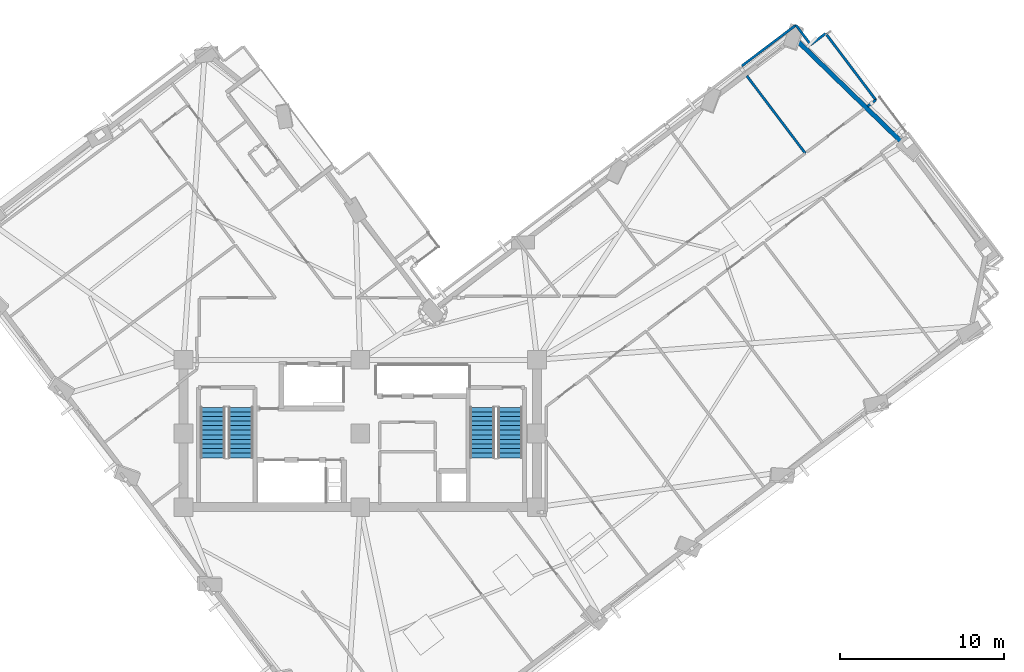
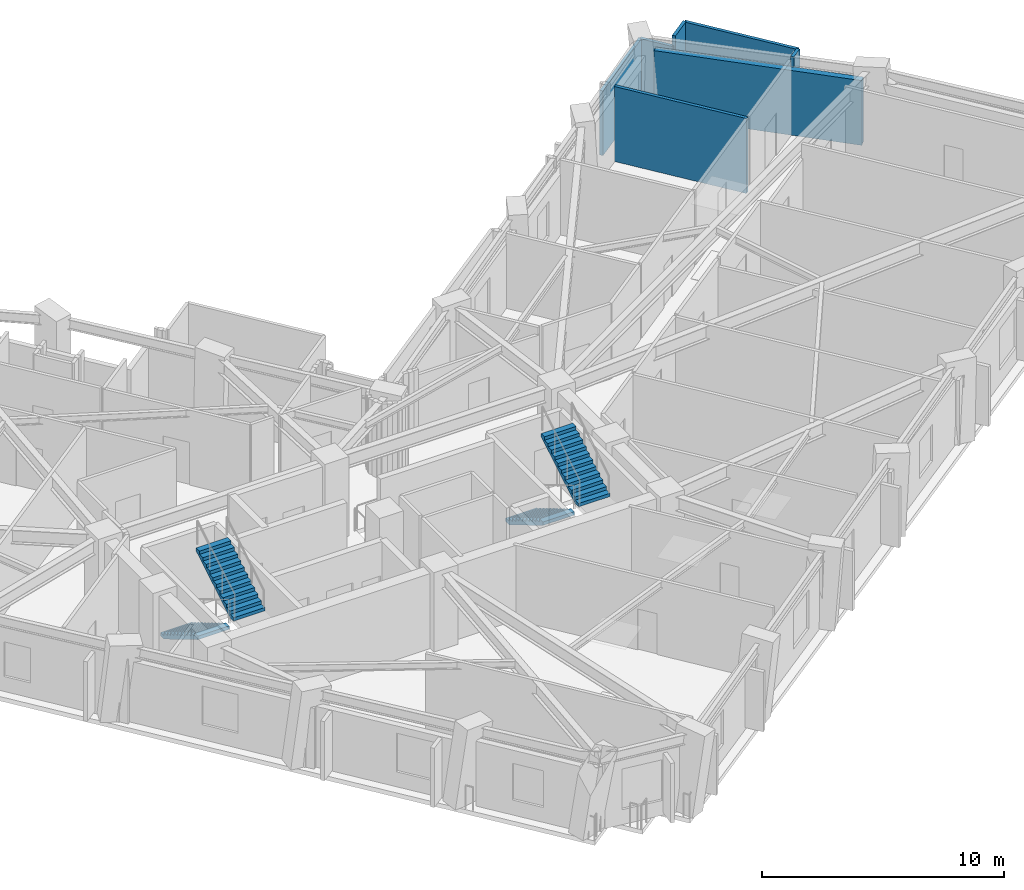
# One storey, part 10 of 15: 7 walls, 4 stair flights, 2 elements without a shape of their own.
"""IFC4 building model written with IfcOpenShell, lengths in metres."""

import ifcopenshell
import ifcopenshell.guid

model = None  # the IFC model being written
_history = None  # IfcOwnerHistory: only IFC2X3 demands one
_inside = {}  # id of a spatial element -> (the spatial element, [elements in it])
_under = {}  # id of a project, library or spatial element -> (it, [spatial elements below it])
_declared = {}  # id of a project -> (the project, [libraries it declares])
_typed = {}  # id of a type object -> (the type object, [elements of that type])
_made_of = {}  # id of a material, layer set ... -> (it, [elements and type objects made of it])


def new_model(schema):
    """Start an empty IFC model of exactly this schema.

    Asked for "IFC4X3", IfcOpenShell would pick the latest addendum, in which some entities
    have other attributes; the version numbers below select the first issue.
    IFC2X3 requires an IfcOwnerHistory on every rooted entity: one is made here for all.
    """
    global model, _history
    if schema == "IFC4X3":
        model = ifcopenshell.file(schema_version=(4, 3, 0, 0))
    else:
        model = ifcopenshell.file(schema=schema)
    _inside.clear()
    _under.clear()
    _declared.clear()
    _typed.clear()
    _made_of.clear()
    _history = None
    if model.schema == "IFC2X3":
        org = make("IfcOrganization", Name="unknown")
        user = make(
            "IfcPersonAndOrganization",
            ThePerson=make("IfcPerson", FamilyName="unknown"),
            TheOrganization=org,
        )
        app = make(
            "IfcApplication",
            ApplicationDeveloper=org,
            Version="unknown",
            ApplicationFullName="unknown",
            ApplicationIdentifier="unknown",
        )
        _history = make(
            "IfcOwnerHistory",
            OwningUser=user,
            OwningApplication=app,
            ChangeAction="ADDED",
            CreationDate=0,
        )
    return model


def make(cls, **values):
    """One entity of the class cls with the attributes given. An attribute that is None is left unset."""
    return model.create_entity(
        cls, **{name: value for name, value in values.items() if value is not None}
    )


def rooted(cls, **values):
    """An entity with a GlobalId (a new one), such as an element, a storey or a relation."""
    return make(cls, GlobalId=ifcopenshell.guid.new(), OwnerHistory=_history, **values)


def si_unit(unit_type, name, prefix=None):
    """IfcSIUnit, for example si_unit("LENGTHUNIT", "METRE", prefix="MILLI")."""
    return make("IfcSIUnit", UnitType=unit_type, Prefix=prefix, Name=name)


def assignment(units):
    """IfcUnitAssignment: the units of a project."""
    return None if units is None else make("IfcUnitAssignment", Units=units)


def point(xyz):
    """IfcCartesianPoint."""
    return None if xyz is None else make("IfcCartesianPoint", Coordinates=xyz)


def direction(xyz):
    """IfcDirection."""
    return None if xyz is None else make("IfcDirection", DirectionRatios=xyz)


def frame(location, z_axis=None, x_axis=None):
    """IfcAxis2Placement3D, a coordinate frame: its origin and axes. An axis left out is left unset."""
    return make(
        "IfcAxis2Placement3D",
        Location=point(location),
        Axis=direction(z_axis),
        RefDirection=direction(x_axis),
    )


def frame_2d(location, x_axis=None):
    """IfcAxis2Placement2D, a coordinate frame in the plane: its origin and x axis."""
    return make(
        "IfcAxis2Placement2D", Location=point(location), RefDirection=direction(x_axis)
    )


def origin():
    """The frame at (0, 0, 0) with its axes left unset."""
    return frame((0.0, 0.0, 0.0))


def place(relative_to, where):
    """IfcLocalPlacement: puts the frame where relative to a parent placement (None: the world)."""
    return make(
        "IfcLocalPlacement", PlacementRelTo=relative_to, RelativePlacement=where
    )


def context(
    kind, dimensions, precision=None, world=None, true_north=None, identifier=None
):
    """IfcGeometricRepresentationContext, for example the 3D "Model" context."""
    return make(
        "IfcGeometricRepresentationContext",
        ContextIdentifier=identifier,
        ContextType=kind,
        CoordinateSpaceDimension=dimensions,
        Precision=precision,
        WorldCoordinateSystem=world,
        TrueNorth=true_north,
    )


def subcontext(parent, identifier, kind, view, scale=None):
    """IfcGeometricRepresentationSubContext, for example "Body" below "Model"."""
    return make(
        "IfcGeometricRepresentationSubContext",
        ContextIdentifier=identifier,
        ContextType=kind,
        ParentContext=parent,
        TargetScale=scale,
        TargetView=view,
    )


def project(units=None, contexts=None):
    """IfcProject with its units and contexts."""
    return rooted(
        "IfcProject",
        Name="project",
        RepresentationContexts=contexts,
        UnitsInContext=assignment(units),
    )


def spatial(cls, under=None, at=None, **own):
    """A site, building, storey or space (cls), placed at a placement, below another one or the project."""
    s = rooted(cls, ObjectPlacement=at, **own)
    if under is not None:
        _under.setdefault(under.id(), (under, []))[1].append(s)
    return s


def polyline(points):
    """IfcPolyline through the points."""
    return make("IfcPolyline", Points=[point(p) for p in points])


def profile(cls, at=None, kind="AREA", **sizes):
    """A parametric profile (cls). Its sizes go by their IFC names, for example OverallWidth=200.0."""
    return make(cls, ProfileType=kind, Position=at, **sizes)


def rectangle(**sizes):
    """IfcRectangleProfileDef."""
    return profile("IfcRectangleProfileDef", **sizes)


def outline(outer, holes=None, kind="AREA"):
    """IfcArbitraryClosedProfileDef: a profile drawn as a closed curve; with holes, ...WithVoids."""
    if holes is None:
        return make("IfcArbitraryClosedProfileDef", ProfileType=kind, OuterCurve=outer)
    return make(
        "IfcArbitraryProfileDefWithVoids",
        ProfileType=kind,
        OuterCurve=outer,
        InnerCurves=holes,
    )


def extrude(swept, where, along, depth):
    """IfcExtrudedAreaSolid: the profile swept, set in the frame where, extruded along a direction by depth."""
    return make(
        "IfcExtrudedAreaSolid",
        SweptArea=swept,
        Position=where,
        ExtrudedDirection=direction(along),
        Depth=depth,
    )


def shape(context_of_items, identifier, shape_type, items):
    """IfcShapeRepresentation: the items that make up one representation, for example the "Body"."""
    return make(
        "IfcShapeRepresentation",
        ContextOfItems=context_of_items,
        RepresentationIdentifier=identifier,
        RepresentationType=shape_type,
        Items=items,
    )


def material(Name=None, Category=None):
    """IfcMaterial."""
    return make("IfcMaterial", Name=Name, Category=Category)


def layer(
    of_material, thickness, ventilated=None, Name=None, Category=None, Priority=None
):
    """IfcMaterialLayer: one layer of a wall or slab, of a material (None: an air gap)."""
    return make(
        "IfcMaterialLayer",
        Material=of_material,
        LayerThickness=thickness,
        IsVentilated=ventilated,
        Name=Name,
        Category=Category,
        Priority=Priority,
    )


def layer_set(layers, Name=None):
    """IfcMaterialLayerSet."""
    return make("IfcMaterialLayerSet", MaterialLayers=layers, LayerSetName=Name)


def made_of(thing, what):
    """Note that an element or type object is made of a material, layer set ...; save() writes the relation."""
    if what is not None:
        _made_of.setdefault(what.id(), (what, []))[1].append(thing)
    return thing


def type_object(cls, material=None, **own):
    """A type object (cls), such as IfcWallType, which elements share."""
    return made_of(rooted(cls, **own), material)


def element(
    cls,
    number,
    at=None,
    inside=None,
    cuts=None,
    type_object=None,
    material=None,
    context=None,
    identifier="Body",
    shape_type=None,
    held_by="IfcProductDefinitionShape",
    body=None,
    shapes=None,
    **own,
):
    """One element of the class cls, such as IfcWall. Its Tag is "e" and its number.

    at: its placement. inside: the storey or other place that contains it. cuts: it is an
    opening in that element (IfcRelVoidsElement). A single representation is given by context,
    identifier, shape_type and body (its items); several are given by shapes. held_by: the class
    of the entity that holds the representations. save() writes the other relations.
    """
    e = rooted(cls, Tag="e%d" % number, ObjectPlacement=at, **own)
    if body is not None:
        shapes = [shape(context, identifier, shape_type, body)]
    if shapes is not None:
        e.Representation = make(held_by, Representations=shapes)
    if inside is not None:
        _inside.setdefault(inside.id(), (inside, []))[1].append(e)
    if cuts is not None:
        rooted(
            "IfcRelVoidsElement", RelatingBuildingElement=cuts, RelatedOpeningElement=e
        )
    if type_object is not None:
        _typed.setdefault(type_object.id(), (type_object, []))[1].append(e)
    return made_of(e, material)


def aggregate(whole, parts):
    """IfcRelAggregates: a whole, such as a stair, and the parts it consists of."""
    return rooted("IfcRelAggregates", RelatingObject=whole, RelatedObjects=parts)


def save(model, path):
    """Write the relations noted so far, then the file.

    IfcRelAggregates (storeys below a building ...), IfcRelContainedInSpatialStructure (elements
    in a storey), IfcRelDefinesByType, IfcRelAssociatesMaterial and IfcRelDeclares: one each for
    every whole, place, type object, material and project.
    """
    for whole, parts in _under.values():
        aggregate(whole, parts)
    for where, things in _inside.values():
        rooted(
            "IfcRelContainedInSpatialStructure",
            RelatedElements=things,
            RelatingStructure=where,
        )
    for kind, things in _typed.values():
        rooted("IfcRelDefinesByType", RelatedObjects=things, RelatingType=kind)
    for what, things in _made_of.values():
        rooted("IfcRelAssociatesMaterial", RelatedObjects=things, RelatingMaterial=what)
    for by, libraries in _declared.values():
        rooted("IfcRelDeclares", RelatingContext=by, RelatedDefinitions=libraries)
    model.write(path)


model = new_model("IFC4")

# Units and contexts
model_context = context("Model", 3, precision=1e-05, world=origin(), true_north=direction((0.0, 1.0)))
body_context = subcontext(model_context, "Body", "Model", "MODEL_VIEW")
ifc_project = project(units=[si_unit("LENGTHUNIT", "METRE"), si_unit("AREAUNIT", "SQUARE_METRE"), si_unit("VOLUMEUNIT", "CUBIC_METRE"), si_unit("PLANEANGLEUNIT", "RADIAN"), si_unit("MASSUNIT", "GRAM", prefix="KILO")], contexts=[model_context])

# Site, building, storey
site_placement = place(None, origin())
site = spatial("IfcSite", under=ifc_project, at=site_placement, CompositionType="ELEMENT")
building_placement = place(site_placement, origin())
building = spatial("IfcBuilding", under=site, at=building_placement, Name="Gaonmaruhae Medical Tower", CompositionType="ELEMENT")
storey_placement = place(building_placement, frame((0.0, 0.0, 181.800048828125)))
storey = spatial("IfcBuildingStorey", under=building, at=storey_placement, Name="L43", CompositionType="ELEMENT", Elevation=181.800048828125)

# Walls
ifc_material_1 = material(Name="Precast concrete C45/55", Category="concrete")
ifc_layer_1 = layer(ifc_material_1, 0.280029296875)
ifc_layer_set_1 = layer_set([ifc_layer_1], Name="Precast concrete C45/55")
wall_type_1 = type_object("IfcWallType", Name="EW-280 Upper Precast Masonry-Frame Facade Wall", PredefinedType="SOLIDWALL", material=ifc_layer_set_1)
wall_1_placement = place(storey_placement, frame((51.525146484375, 36.240478515625, 0.0), z_axis=(0.0, 0.0, 1.0), x_axis=(0.717404025955, -0.696657350169, 0.0)))
element("IfcWall", 1, at=wall_1_placement, inside=storey, type_object=wall_type_1, Name="L43 Precast Masonry-Frame Wall E02-E03", PredefinedType="SOLIDWALL", context=body_context, shape_type="SweptSolid", body=[
    extrude(rectangle(XDim=8.837646484375, YDim=0.280029296875, at=frame_2d((4.4189453125, 0.0))), origin(), (0.0, 0.0, 1.0), 3.264892578125),
])
ifc_material_2 = material(Name="Gypsum board partition", Category="gypsum")
ifc_layer_2 = layer(ifc_material_2, 0.14990234375)
ifc_layer_set_2 = layer_set([ifc_layer_2], Name="Gypsum board partition")
wall_type_2 = type_object("IfcWallType", Name="PW-150 Rated Clinical Corridor Partition", PredefinedType="PARTITIONING", material=ifc_layer_set_2)
wall_2_placement = place(storey_placement, frame((48.402099609375, 34.137939453125, 0.0), z_axis=(0.0, 0.0, 1.0), x_axis=(0.602568386296, -0.798067252703, 0.0)))
element("IfcWall", 2, at=wall_2_placement, inside=storey, type_object=wall_type_2, Name="L43 Interior Partition L43-IE05-89", PredefinedType="PARTITIONING", context=body_context, shape_type="SweptSolid", body=[
    extrude(rectangle(XDim=5.92431640625, YDim=0.14990234375, at=frame_2d((2.962158203125, 0.0))), origin(), (0.0, 0.0, 1.0), 3.780029296875),
])
wall_3_placement = place(storey_placement, frame((52.304931640625, 36.0390625, 0.0), z_axis=(0.0, 0.0, 1.0), x_axis=(0.798146416717, 0.602463523777, 0.0)))
element("IfcWall", 3, at=wall_3_placement, inside=storey, type_object=wall_type_2, Name="L43 Interior Partition L43-IE06-90", PredefinedType="PARTITIONING", context=body_context, shape_type="SweptSolid", body=[
    extrude(rectangle(XDim=1.140380859375, YDim=0.14990234375, at=frame_2d((0.5703125, 0.0))), origin(), (0.0, 0.0, 1.0), 3.780029296875),
])
wall_4_placement = place(storey_placement, frame((53.215087890625, 36.72607421875, 0.0), z_axis=(0.0, 0.0, 1.0), x_axis=(0.602345786441, -0.798235274563, 0.0)))
element("IfcWall", 4, at=wall_4_placement, inside=storey, type_object=wall_type_2, Name="L43 Interior Partition L43-IE06-91", PredefinedType="PARTITIONING", context=body_context, shape_type="SweptSolid", body=[
    extrude(rectangle(XDim=5.08984375, YDim=0.14990234375, at=frame_2d((2.544921875, 0.0))), origin(), (0.0, 0.0, 1.0), 3.780029296875),
])
wall_5_placement = place(storey_placement, frame((56.281005859375, 32.6630859375, 0.0), z_axis=(0.0, 0.0, 1.0), x_axis=(-0.798116355304, -0.602503347207, 0.0)))
element("IfcWall", 5, at=wall_5_placement, inside=storey, type_object=wall_type_2, Name="L43 Interior Partition L43-IE06-92", PredefinedType="PARTITIONING", context=body_context, shape_type="SweptSolid", body=[
    extrude(rectangle(XDim=0.638916015625, YDim=0.14990234375, at=frame_2d((0.3193359375, 0.0))), origin(), (0.0, 0.0, 1.0), 3.780029296875),
])
wall_6_placement = place(storey_placement, frame((48.096923828125, 34.741943359375, 0.0), z_axis=(0.0, 0.0, 1.0), x_axis=(0.798120658776, 0.602497646498, 0.0)))
element("IfcWall", 6, at=wall_6_placement, inside=storey, type_object=wall_type_2, Name="L43 Interior Partition L43-IE06-94", PredefinedType="PARTITIONING", context=body_context, shape_type="SweptSolid", body=[
    extrude(rectangle(XDim=4.1396484375, YDim=0.14990234375, at=frame_2d((2.06982421875, 0.0))), origin(), (0.0, 0.0, 1.0), 3.264892578125),
])
wall_7_placement = place(storey_placement, frame((51.40087890625, 37.236083984375, 0.0), z_axis=(0.0, 0.0, 1.0), x_axis=(0.602678817018, -0.79798386169, 0.0)))
element("IfcWall", 7, at=wall_7_placement, inside=storey, type_object=wall_type_2, Name="L43 Interior Partition L43-IE06-95", PredefinedType="PARTITIONING", context=body_context, shape_type="SweptSolid", body=[
    extrude(rectangle(XDim=1.5, YDim=0.14990234375, at=frame_2d((0.75, 0.0))), origin(), (0.0, 0.0, 1.0), 3.264892578125),
])

# Stair, stair flights
ifc_material_3 = material(Name="Concrete C40/50", Category="concrete")
stair_type = type_object("IfcStairType", Name="ST-T1 Primary Core Escape Dogleg Stair", PredefinedType="TWO_QUARTER_TURN_STAIR", material=ifc_material_3)
stair_1_placement = place(storey_placement, origin())
stair_1 = element("IfcStair", 8, at=stair_1_placement, inside=storey, type_object=stair_type, Name="L43 Protected Escape Stair ST-01", PredefinedType="TWO_QUARTER_TURN_STAIR")
stair_flight_type = type_object("IfcStairFlightType", Name="SF-T1 Primary Core Precast Stair Flight", PredefinedType="STRAIGHT", material=ifc_material_3)
stair_flight_1_placement = place(storey_placement, frame((15.800048828125, 13.89990234375, 0.0), z_axis=(0.0, 0.0, 1.0), x_axis=(0.0, -1.0, 0.0)))
stair_flight_1 = element("IfcStairFlight", 9, at=stair_flight_1_placement, type_object=stair_flight_type, Name="ST-01 flight 1", NumberOfRisers=12, NumberOfTreads=11, PredefinedType="STRAIGHT", RiserHeight=0.166666667, TreadLength=0.28, context=body_context, shape_type="SweptSolid", body=[
    extrude(outline(polyline([(0.0, 0.0), (0.0, 0.166748046875), (0.280029296875, 0.166748046875), (0.280029296875, 0.333251953125), (0.56005859375, 0.333251953125), (0.56005859375, 0.5), (0.840087890625, 0.5), (0.840087890625, 0.666748046875), (1.1201171875, 0.666748046875), (1.1201171875, 0.833251953125), (1.39990234375, 0.833251953125), (1.39990234375, 1.0), (1.679931640625, 1.0), (1.679931640625, 1.166748046875), (1.9599609375, 1.166748046875), (1.9599609375, 1.333251953125), (2.239990234375, 1.333251953125), (2.239990234375, 1.5), (2.52001953125, 1.5), (2.52001953125, 1.666748046875), (2.800048828125, 1.666748046875), (2.800048828125, 1.833251953125), (3.080078125, 1.833251953125), (3.080078125, 2.0), (3.080078125, 1.658935546875), (0.29296875, 0.0), (0.0, 0.0)])), frame((0.0, 0.75, 0.0), z_axis=(0.0, -1.0, 0.0), x_axis=(1.0, 0.0, 0.0)), (0.0, 0.0, 1.0), 1.5),
])
stair_flight_2_placement = place(storey_placement, frame((17.5, 10.820068359375, 2.0), z_axis=(0.0, 0.0, 1.0), x_axis=(0.0, 1.0, 0.0)))
stair_flight_2 = element("IfcStairFlight", 10, at=stair_flight_2_placement, type_object=stair_flight_type, Name="ST-01 flight 2", NumberOfRisers=12, NumberOfTreads=11, PredefinedType="STRAIGHT", RiserHeight=0.166666667, TreadLength=0.28, context=body_context, shape_type="SweptSolid", body=[
    extrude(outline(polyline([(0.0, 0.0), (0.0, 0.166748046875), (0.280029296875, 0.166748046875), (0.280029296875, 0.333251953125), (0.56005859375, 0.333251953125), (0.56005859375, 0.5), (0.840087890625, 0.5), (0.840087890625, 0.666748046875), (1.1201171875, 0.666748046875), (1.1201171875, 0.833251953125), (1.39990234375, 0.833251953125), (1.39990234375, 1.0), (1.679931640625, 1.0), (1.679931640625, 1.166748046875), (1.9599609375, 1.166748046875), (1.9599609375, 1.333251953125), (2.239990234375, 1.333251953125), (2.239990234375, 1.5), (2.52001953125, 1.5), (2.52001953125, 1.666748046875), (2.800048828125, 1.666748046875), (2.800048828125, 1.833251953125), (3.080078125, 1.833251953125), (3.080078125, 2.0), (3.080078125, 1.658935546875), (0.29296875, 0.0), (0.0, 0.0)])), frame((0.0, 0.75, 0.0), z_axis=(0.0, -1.0, 0.0), x_axis=(1.0, 0.0, 0.0)), (0.0, 0.0, 1.0), 1.5),
])
aggregate(stair_1, [stair_flight_1, stair_flight_2])

stair_2_placement = place(storey_placement, origin())
stair_2 = element("IfcStair", 11, at=stair_2_placement, inside=storey, type_object=stair_type, Name="L43 Protected Escape Stair ST-02", PredefinedType="TWO_QUARTER_TURN_STAIR")
stair_flight_3_placement = place(storey_placement, frame((32.25, 13.89990234375, 0.0), z_axis=(0.0, 0.0, 1.0), x_axis=(0.0, -1.0, 0.0)))
stair_flight_3 = element("IfcStairFlight", 12, at=stair_flight_3_placement, type_object=stair_flight_type, Name="ST-02 flight 1", NumberOfRisers=12, NumberOfTreads=11, PredefinedType="STRAIGHT", RiserHeight=0.166666667, TreadLength=0.28, context=body_context, shape_type="SweptSolid", body=[
    extrude(outline(polyline([(0.0, 0.0), (0.0, 0.166748046875), (0.280029296875, 0.166748046875), (0.280029296875, 0.333251953125), (0.56005859375, 0.333251953125), (0.56005859375, 0.5), (0.840087890625, 0.5), (0.840087890625, 0.666748046875), (1.1201171875, 0.666748046875), (1.1201171875, 0.833251953125), (1.39990234375, 0.833251953125), (1.39990234375, 1.0), (1.679931640625, 1.0), (1.679931640625, 1.166748046875), (1.9599609375, 1.166748046875), (1.9599609375, 1.333251953125), (2.239990234375, 1.333251953125), (2.239990234375, 1.5), (2.52001953125, 1.5), (2.52001953125, 1.666748046875), (2.800048828125, 1.666748046875), (2.800048828125, 1.833251953125), (3.080078125, 1.833251953125), (3.080078125, 2.0), (3.080078125, 1.658935546875), (0.29296875, 0.0), (0.0, 0.0)])), frame((0.0, 0.75, 0.0), z_axis=(0.0, -1.0, 0.0), x_axis=(1.0, 0.0, 0.0)), (0.0, 0.0, 1.0), 1.5),
])
stair_flight_4_placement = place(storey_placement, frame((33.949951171875, 10.820068359375, 2.0), z_axis=(0.0, 0.0, 1.0), x_axis=(0.0, 1.0, 0.0)))
stair_flight_4 = element("IfcStairFlight", 13, at=stair_flight_4_placement, type_object=stair_flight_type, Name="ST-02 flight 2", NumberOfRisers=12, NumberOfTreads=11, PredefinedType="STRAIGHT", RiserHeight=0.166666667, TreadLength=0.28, context=body_context, shape_type="SweptSolid", body=[
    extrude(outline(polyline([(0.0, 0.0), (0.0, 0.166748046875), (0.280029296875, 0.166748046875), (0.280029296875, 0.333251953125), (0.56005859375, 0.333251953125), (0.56005859375, 0.5), (0.840087890625, 0.5), (0.840087890625, 0.666748046875), (1.1201171875, 0.666748046875), (1.1201171875, 0.833251953125), (1.39990234375, 0.833251953125), (1.39990234375, 1.0), (1.679931640625, 1.0), (1.679931640625, 1.166748046875), (1.9599609375, 1.166748046875), (1.9599609375, 1.333251953125), (2.239990234375, 1.333251953125), (2.239990234375, 1.5), (2.52001953125, 1.5), (2.52001953125, 1.666748046875), (2.800048828125, 1.666748046875), (2.800048828125, 1.833251953125), (3.080078125, 1.833251953125), (3.080078125, 2.0), (3.080078125, 1.658935546875), (0.29296875, 0.0), (0.0, 0.0)])), frame((0.0, 0.75, 0.0), z_axis=(0.0, -1.0, 0.0), x_axis=(1.0, 0.0, 0.0)), (0.0, 0.0, 1.0), 1.5),
])
aggregate(stair_2, [stair_flight_3, stair_flight_4])

save(model, "model.ifc")
